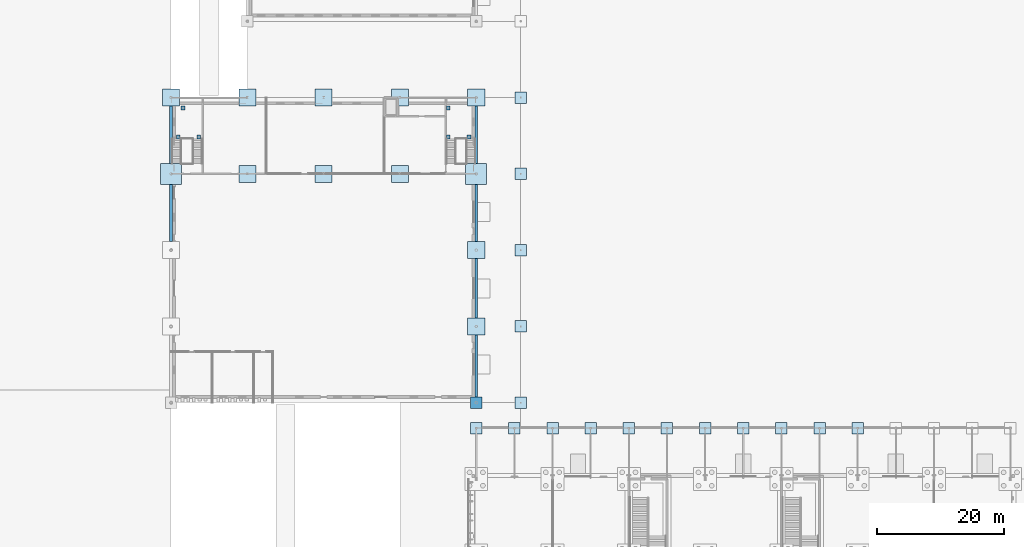
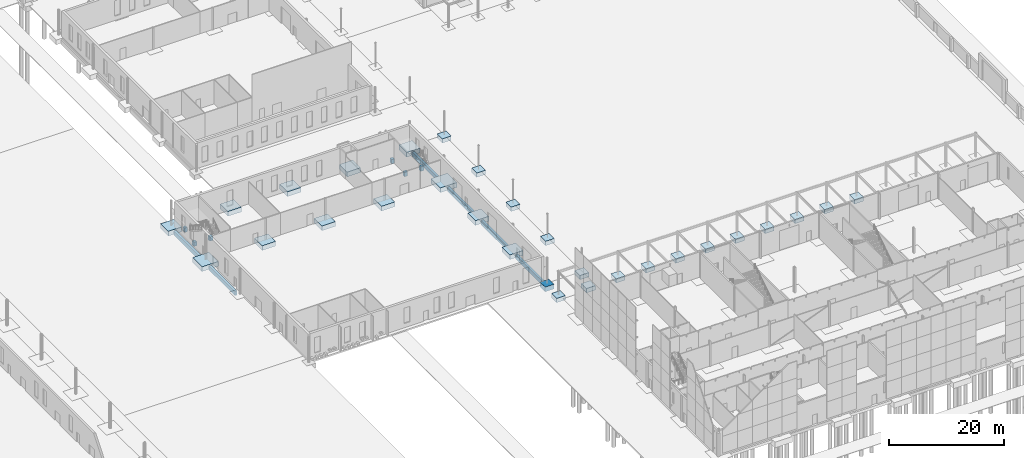
# One storey, part 3 of 132: 41 footings.
"""IFC4 building model written with IfcOpenShell, lengths in metres."""

from ifc_helpers import new_model, si_unit, direction, frame, origin, origin_2d, place, context, subcontext, project, spatial, polyline, rectangle, outline, extrude, material, type_object, element, save


model = new_model("IFC4")

# Units and contexts
model_context = context("Model", 3, precision=1e-05, world=origin(), true_north=direction((0.0, 1.0)))
body_context = subcontext(model_context, "Body", "Model", "MODEL_VIEW")
ifc_project = project(units=[si_unit("LENGTHUNIT", "METRE"), si_unit("AREAUNIT", "SQUARE_METRE"), si_unit("VOLUMEUNIT", "CUBIC_METRE"), si_unit("PLANEANGLEUNIT", "RADIAN"), si_unit("MASSUNIT", "GRAM", prefix="KILO")], contexts=[model_context])

# Site, building, storey
site_placement = place(None, origin())
site = spatial("IfcSite", under=ifc_project, at=site_placement, CompositionType="ELEMENT")
building_placement = place(site_placement, origin())
building = spatial("IfcBuilding", under=site, at=building_placement, Name="Ravi Spectrum Wholesale Market", CompositionType="ELEMENT")
storey_placement = place(building_placement, origin())
storey = spatial("IfcBuildingStorey", under=building, at=storey_placement, Name="L00", CompositionType="ELEMENT", Elevation=0.0)

# Footings
ifc_material_1 = material(Name="Concrete C35/45", Category="concrete")
footing_type_1 = type_object("IfcFootingType", Name="Ground beam 450x900", PredefinedType="FOOTING_BEAM", material=ifc_material_1)
footing_1_placement = place(storey_placement, frame((0.0, 0.0, -1.199951171875)))
element("IfcFooting", 1, at=footing_1_placement, inside=storey, type_object=footing_type_1, Name="H2-GB-L00-003", PredefinedType="FOOTING_BEAM", context=body_context, shape_type="SweptSolid", body=[
    extrude(outline(polyline([(149.77490234375, 103.35009765625), (149.77490234375, 112.35009765625), (150.22509765625, 112.35009765625), (150.22509765625, 103.35009765625), (149.77490234375, 103.35009765625)])), origin(), (0.0, 0.0, 1.0), 0.89990234375),
])
footing_2_placement = place(storey_placement, frame((0.0, 0.0, -1.199951171875)))
element("IfcFooting", 2, at=footing_2_placement, inside=storey, type_object=footing_type_1, Name="H2-GB-L00-004", PredefinedType="FOOTING_BEAM", context=body_context, shape_type="SweptSolid", body=[
    extrude(outline(polyline([(149.77490234375, 115.64990234375), (149.77490234375, 124.64990234375), (150.22509765625, 124.64990234375), (150.22509765625, 115.64990234375), (149.77490234375, 115.64990234375)])), origin(), (0.0, 0.0, 1.0), 0.89990234375),
])
footing_3_placement = place(storey_placement, frame((0.0, 0.0, -1.199951171875)))
element("IfcFooting", 3, at=footing_3_placement, inside=storey, type_object=footing_type_1, Name="H2-GB-L00-005", PredefinedType="FOOTING_BEAM", context=body_context, shape_type="SweptSolid", body=[
    extrude(outline(polyline([(197.77490234375, 78.89990234375), (197.77490234375, 88.64990234375), (198.22509765625, 88.64990234375), (198.22509765625, 78.89990234375), (197.77490234375, 78.89990234375)])), origin(), (0.0, 0.0, 1.0), 0.89990234375),
])
footing_4_placement = place(storey_placement, frame((0.0, 0.0, -1.199951171875)))
element("IfcFooting", 4, at=footing_4_placement, inside=storey, type_object=footing_type_1, Name="H2-GB-L00-006", PredefinedType="FOOTING_BEAM", context=body_context, shape_type="SweptSolid", body=[
    extrude(outline(polyline([(197.77490234375, 91.35009765625), (197.77490234375, 100.64990234375), (198.22509765625, 100.64990234375), (198.22509765625, 91.35009765625), (197.77490234375, 91.35009765625)])), origin(), (0.0, 0.0, 1.0), 0.89990234375),
])
footing_5_placement = place(storey_placement, frame((0.0, 0.0, -1.199951171875)))
element("IfcFooting", 5, at=footing_5_placement, inside=storey, type_object=footing_type_1, Name="H2-GB-L00-007", PredefinedType="FOOTING_BEAM", context=body_context, shape_type="SweptSolid", body=[
    extrude(outline(polyline([(197.77490234375, 103.35009765625), (197.77490234375, 112.35009765625), (198.22509765625, 112.35009765625), (198.22509765625, 103.35009765625), (197.77490234375, 103.35009765625)])), origin(), (0.0, 0.0, 1.0), 0.89990234375),
])
footing_6_placement = place(storey_placement, frame((0.0, 0.0, -1.199951171875)))
element("IfcFooting", 6, at=footing_6_placement, inside=storey, type_object=footing_type_1, Name="H2-GB-L00-008", PredefinedType="FOOTING_BEAM", context=body_context, shape_type="SweptSolid", body=[
    extrude(outline(polyline([(197.77490234375, 115.64990234375), (197.77490234375, 124.64990234375), (198.22509765625, 124.64990234375), (198.22509765625, 115.64990234375), (197.77490234375, 115.64990234375)])), origin(), (0.0, 0.0, 1.0), 0.89990234375),
])
ifc_material_2 = material(Name="Concrete C35/45", Category="concrete")
footing_type_2 = type_object("IfcFootingType", Name="Pad footing 1800x1800x1000", PredefinedType="PAD_FOOTING", material=ifc_material_2)
footing_7_placement = place(storey_placement, frame((198.0, 78.0, -1.0), z_axis=(0.0, 0.0, 1.0), x_axis=(1.0, 0.0, 0.0)))
element("IfcFooting", 7, at=footing_7_placement, inside=storey, type_object=footing_type_2, Name="H2-PF-L00-006", PredefinedType="PAD_FOOTING", context=body_context, shape_type="SweptSolid", body=[
    extrude(rectangle(XDim=1.800048828125, YDim=1.800048828125, at=origin_2d()), origin(), (0.0, 0.0, 1.0), 1.0),
])
ifc_material_3 = material(Name="Concrete C35/45", Category="concrete")
footing_type_3 = type_object("IfcFootingType", Name="Pad footing 1800x1800x900", PredefinedType="PAD_FOOTING", material=ifc_material_3)
for number, where, z_axis, x_axis, name in (
    (8, (205.0, 78.0, -0.89990234375), (0.0, 0.0, 1.0), (1.0, 0.0, 0.0), "H2-PF-L00-017"),
    (9, (205.0, 90.0, -0.89990234375), (0.0, 0.0, 1.0), (1.0, 0.0, 0.0), "H2-PF-L00-018"),
    (10, (205.0, 102.0, -0.89990234375), (0.0, 0.0, 1.0), (1.0, 0.0, 0.0), "H2-PF-L00-019"),
    (11, (205.0, 114.0, -0.89990234375), (0.0, 0.0, 1.0), (1.0, 0.0, 0.0), "H2-PF-L00-020"),
    (12, (205.0, 126.0, -0.89990234375), (0.0, 0.0, 1.0), (1.0, 0.0, 0.0), "H2-PF-L00-021"),
    (13, (198.0, 74.0, -0.89990234375), (0.0, 0.0, 1.0), (1.0, 0.0, 0.0), "CS-PF-L00-001"),
    (14, (204.0, 74.0, -0.89990234375), (0.0, 0.0, 1.0), (1.0, 0.0, 0.0), "CS-PF-L00-002"),
    (15, (210.0, 74.0, -0.89990234375), (0.0, 0.0, 1.0), (1.0, 0.0, 0.0), "CS-PF-L00-003"),
    (16, (216.0, 74.0, -0.89990234375), (0.0, 0.0, 1.0), (1.0, 0.0, 0.0), "CS-PF-L00-004"),
    (17, (222.0, 74.0, -0.89990234375), (0.0, 0.0, 1.0), (1.0, 0.0, 0.0), "CS-PF-L00-005"),
    (18, (228.0, 74.0, -0.89990234375), (0.0, 0.0, 1.0), (1.0, 0.0, 0.0), "CS-PF-L00-006"),
    (19, (234.0, 74.0, -0.89990234375), (0.0, 0.0, 1.0), (1.0, 0.0, 0.0), "CS-PF-L00-007"),
    (20, (240.0, 74.0, -0.89990234375), (0.0, 0.0, 1.0), (1.0, 0.0, 0.0), "CS-PF-L00-008"),
    (21, (246.0, 74.0, -0.89990234375), (0.0, 0.0, 1.0), (1.0, 0.0, 0.0), "CS-PF-L00-009"),
    (22, (252.0, 74.0, -0.89990234375), (0.0, 0.0, 1.0), (1.0, 0.0, 0.0), "CS-PF-L00-010"),
    (23, (258.0, 74.0, -0.89990234375), (0.0, 0.0, 1.0), (1.0, 0.0, 0.0), "CS-PF-L00-011"),
):
    element("IfcFooting", number, at=place(storey_placement, frame(where, z_axis=z_axis, x_axis=x_axis)), inside=storey, type_object=footing_type_3, Name=name, PredefinedType="PAD_FOOTING", context=body_context, shape_type="SweptSolid", body=[
        extrude(rectangle(XDim=1.800048828125, YDim=1.800048828125, at=origin_2d()), origin(), (0.0, 0.0, 1.0), 0.89990234375),
    ])
ifc_material_4 = material(Name="Concrete C35/45", Category="concrete")
footing_type_4 = type_object("IfcFootingType", Name="Pad footing 2700x2700x1000", PredefinedType="PAD_FOOTING", material=ifc_material_4)
for number, where, z_axis, x_axis, name in (
    (24, (150.0, 126.0, -1.0), (0.0, 0.0, 1.0), (1.0, 0.0, 0.0), "H2-PF-L00-005"),
    (25, (198.0, 90.0, -1.0), (0.0, 0.0, 1.0), (1.0, 0.0, 0.0), "H2-PF-L00-007"),
    (26, (198.0, 102.0, -1.0), (0.0, 0.0, 1.0), (1.0, 0.0, 0.0), "H2-PF-L00-008"),
    (27, (198.0, 126.0, -1.0), (0.0, 0.0, 1.0), (1.0, 0.0, 0.0), "H2-PF-L00-010"),
    (28, (162.0, 114.0, -1.0), (0.0, 0.0, 1.0), (1.0, 0.0, 0.0), "H2-PF-L00-011"),
    (29, (162.0, 126.0, -1.0), (0.0, 0.0, 1.0), (1.0, 0.0, 0.0), "H2-PF-L00-012"),
    (30, (174.0, 114.0, -1.0), (0.0, 0.0, 1.0), (1.0, 0.0, 0.0), "H2-PF-L00-013"),
    (31, (174.0, 126.0, -1.0), (0.0, 0.0, 1.0), (1.0, 0.0, 0.0), "H2-PF-L00-014"),
    (32, (186.0, 114.0, -1.0), (0.0, 0.0, 1.0), (1.0, 0.0, 0.0), "H2-PF-L00-015"),
    (33, (186.0, 126.0, -1.0), (0.0, 0.0, 1.0), (1.0, 0.0, 0.0), "H2-PF-L00-016"),
):
    element("IfcFooting", number, at=place(storey_placement, frame(where, z_axis=z_axis, x_axis=x_axis)), inside=storey, type_object=footing_type_4, Name=name, PredefinedType="PAD_FOOTING", context=body_context, shape_type="SweptSolid", body=[
        extrude(rectangle(XDim=2.699951171875, YDim=2.699951171875, at=origin_2d()), origin(), (0.0, 0.0, 1.0), 1.0),
    ])
ifc_material_5 = material(Name="Concrete C35/45", Category="concrete")
footing_type_5 = type_object("IfcFootingType", Name="Pad footing 3300x3300x1000", PredefinedType="PAD_FOOTING", material=ifc_material_5)
for number, where, z_axis, x_axis, name in (
    (34, (150.0, 114.0, -1.0), (0.0, 0.0, 1.0), (1.0, 0.0, 0.0), "H2-PF-L00-004"),
    (35, (198.0, 114.0, -1.0), (0.0, 0.0, 1.0), (1.0, 0.0, 0.0), "H2-PF-L00-009"),
):
    element("IfcFooting", number, at=place(storey_placement, frame(where, z_axis=z_axis, x_axis=x_axis)), inside=storey, type_object=footing_type_5, Name=name, PredefinedType="PAD_FOOTING", context=body_context, shape_type="SweptSolid", body=[
        extrude(rectangle(XDim=3.300048828125, YDim=3.300048828125, at=origin_2d()), origin(), (0.0, 0.0, 1.0), 1.0),
    ])
ifc_material_6 = material(Name="Concrete C35/45", Category="concrete")
footing_type_6 = type_object("IfcFootingType", Name="Pad footing 600x600x900", PredefinedType="PAD_FOOTING", material=ifc_material_6)
for number, where, z_axis, x_axis, name in (
    (36, (193.60009765625, 119.820068359375, -0.89990234375), (0.0, 0.0, 1.0), (1.0, 0.0, 0.0), "H2-PF-L00-022"),
    (37, (193.60009765625, 124.343017578125, -0.89990234375), (0.0, 0.0, 1.0), (1.0, 0.0, 0.0), "H2-PF-L00-023"),
    (38, (196.85009765625, 119.820068359375, -0.89990234375), (0.0, 0.0, 1.0), (1.0, 0.0, 0.0), "H2-PF-L00-024"),
    (39, (151.14111328125, 119.820068359375, -0.89990234375), (0.0, 0.0, 1.0), (1.0, 0.0, 0.0), "H2-PF-L00-025"),
    (40, (151.882080078125, 124.343017578125, -0.89990234375), (0.0, 0.0, 1.0), (1.0, 0.0, 0.0), "H2-PF-L00-026"),
    (41, (154.35302734375, 119.820068359375, -0.89990234375), (0.0, 0.0, 1.0), (1.0, 0.0, 0.0), "H2-PF-L00-027"),
):
    element("IfcFooting", number, at=place(storey_placement, frame(where, z_axis=z_axis, x_axis=x_axis)), inside=storey, type_object=footing_type_6, Name=name, PredefinedType="PAD_FOOTING", context=body_context, shape_type="SweptSolid", body=[
        extrude(rectangle(XDim=0.60009765625, YDim=0.60009765625, at=origin_2d()), origin(), (0.0, 0.0, 1.0), 0.89990234375),
    ])

save(model, "model.ifc")
